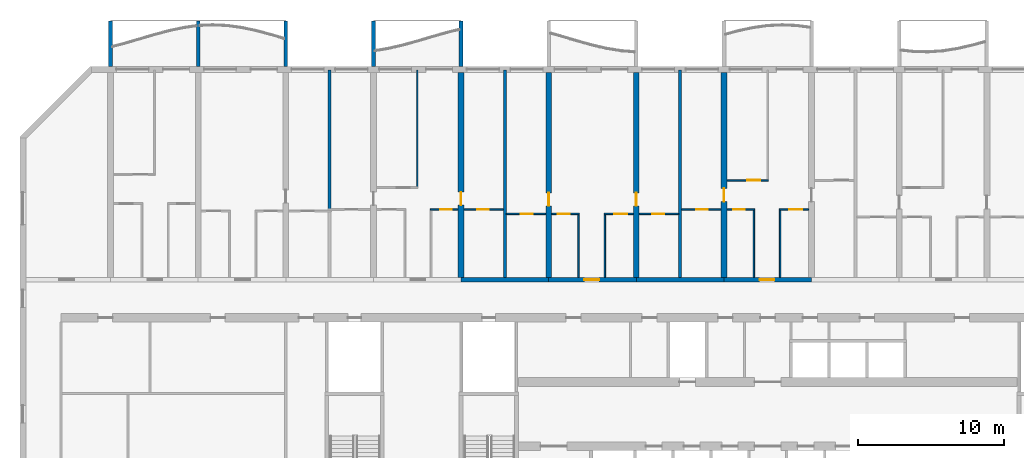
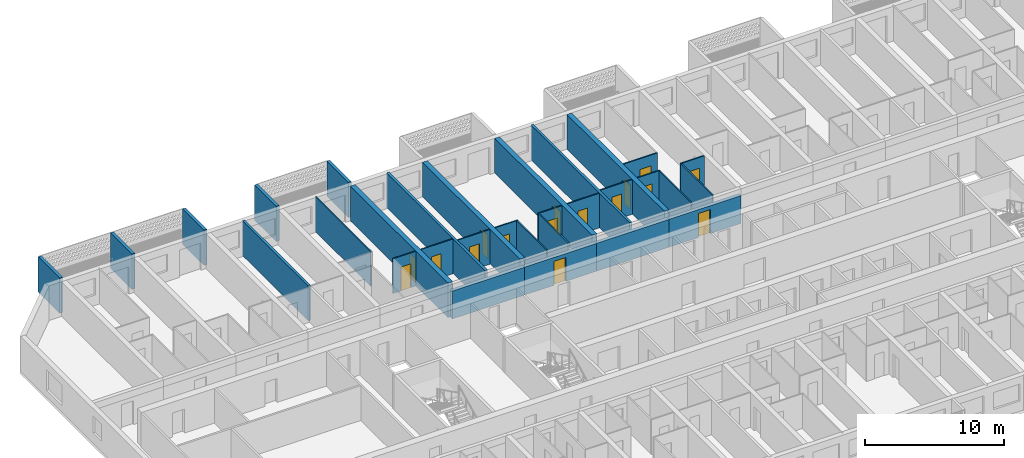
# One storey, part 11 of 40: 31 walls, 16 doors, 16 openings.
"""IFC4 building model written with IfcOpenShell, lengths in metres."""

from ifc_helpers import new_model, si_unit, direction, frame, frame_2d, origin, place, context, subcontext, project, spatial, polyline, rectangle, outline, extrude, source, transform, mapped, material, layer, layer_set, type_object, element, fill, save


model = new_model("IFC4")

# Units and contexts
model_context = context("Model", 3, precision=1e-05, world=origin(), true_north=direction((0.0, 1.0)))
body_context = subcontext(model_context, "Body", "Model", "MODEL_VIEW")
ifc_project = project(units=[si_unit("LENGTHUNIT", "METRE"), si_unit("AREAUNIT", "SQUARE_METRE"), si_unit("VOLUMEUNIT", "CUBIC_METRE"), si_unit("PLANEANGLEUNIT", "RADIAN"), si_unit("MASSUNIT", "GRAM", prefix="KILO")], contexts=[model_context])

# Site, building, storey
site_placement = place(None, origin())
site = spatial("IfcSite", under=ifc_project, at=site_placement, CompositionType="ELEMENT")
building_placement = place(site_placement, origin())
building = spatial("IfcBuilding", under=site, at=building_placement, Name="Poui Terraces", CompositionType="ELEMENT")
storey_placement = place(building_placement, frame((0.0, 0.0, 33.300048828125)))
storey = spatial("IfcBuildingStorey", under=building, at=storey_placement, Name="L08", CompositionType="ELEMENT", Elevation=33.300048828125)

# Wall
ifc_material_1 = material(Name="Concrete 80 MPa", Category="concrete")
ifc_layer_1 = layer(ifc_material_1, 0.300048828125)
ifc_layer_set_1 = layer_set([ifc_layer_1], Name="Concrete 80 MPa")
wall_type_1 = type_object("IfcWallType", Name="CORRIDOR WALL 300 80MPa", PredefinedType="SHEAR", material=ifc_layer_set_1)
wall_1_placement = place(storey_placement, frame((30.0, 30.39990234375, 0.0), z_axis=(0.0, 0.0, 1.0), x_axis=(1.0, 0.0, 0.0)))
element("IfcWall", 1, at=wall_1_placement, inside=storey, type_object=wall_type_1, Name="CORRIDOR WALL LINE E BAY 6", PredefinedType="SHEAR", context=body_context, shape_type="SweptSolid", body=[
    extrude(rectangle(XDim=6.0, YDim=0.300048828125, at=frame_2d((3.0, 0.0))), origin(), (0.0, 0.0, 1.0), 2.449951171875),
])

# Wall, opening, door
wall_2_placement = place(storey_placement, frame((36.0, 30.39990234375, 0.0), z_axis=(0.0, 0.0, 1.0), x_axis=(1.0, 0.0, 0.0)))
wall_2 = element("IfcWall", 2, at=wall_2_placement, inside=storey, type_object=wall_type_1, Name="CORRIDOR WALL LINE E BAY 7", PredefinedType="SHEAR", context=body_context, shape_type="SweptSolid", body=[
    extrude(rectangle(XDim=6.0, YDim=0.300048828125, at=frame_2d((3.0, 0.0))), origin(), (0.0, 0.0, 1.0), 2.449951171875),
])
opening_1_placement = place(wall_2_placement, frame((2.449951171875, 0.0, 0.0)))
opening_1 = element("IfcOpeningElement", 3, at=opening_1_placement, cuts=wall_2, Name="Opening FD30S", PredefinedType="OPENING", context=body_context, shape_type="SweptSolid", body=[
    extrude(rectangle(XDim=1.0, YDim=2.10009765625, at=frame_2d((0.5, 1.050048828125))), frame((0.0, 0.16015625, 0.0), z_axis=(0.0, -1.0, 0.0), x_axis=(1.0, 0.0, 0.0)), (0.0, 0.0, 1.0), 0.320068359375),
])
ifc_material_2 = material(Name="Steel fire door", Category="steel")
door_type_1 = type_object("IfcDoorType", Name="FLAT ENTRANCE DOOR 1000 X 2100", OperationType="NOTDEFINED", PredefinedType="DOOR", material=ifc_material_2)
door_1_placement = place(opening_1_placement, origin())
door_1 = element("IfcDoor", 4, at=door_1_placement, inside=storey, type_object=door_type_1, Name="FLAT ENTRANCE DOOR 052", OperationType="SINGLE_SWING_LEFT", OverallHeight=2.10009765625, OverallWidth=1.0, PredefinedType="DOOR", context=body_context, shape_type="SweptSolid", body=[
    extrude(rectangle(XDim=1.0, YDim=2.10009765625, at=frame_2d((0.5, 1.050048828125))), frame((0.0, 0.02490234375, 0.0), z_axis=(0.0, -1.0, 0.0), x_axis=(1.0, 0.0, 0.0)), (0.0, 0.0, 1.0), 0.050048828125),
])
fill(opening_1, door_1)

# Wall
wall_3_placement = place(storey_placement, frame((42.0, 30.39990234375, 0.0), z_axis=(0.0, 0.0, 1.0), x_axis=(1.0, 0.0, 0.0)))
element("IfcWall", 5, at=wall_3_placement, inside=storey, type_object=wall_type_1, Name="CORRIDOR WALL LINE E BAY 8", PredefinedType="SHEAR", context=body_context, shape_type="SweptSolid", body=[
    extrude(rectangle(XDim=6.0, YDim=0.300048828125, at=frame_2d((3.0, 0.0))), origin(), (0.0, 0.0, 1.0), 2.449951171875),
])

# Wall, opening, door
wall_4_placement = place(storey_placement, frame((48.0, 30.39990234375, 0.0), z_axis=(0.0, 0.0, 1.0), x_axis=(1.0, 0.0, 0.0)))
wall_4 = element("IfcWall", 6, at=wall_4_placement, inside=storey, type_object=wall_type_1, Name="CORRIDOR WALL LINE E BAY 9", PredefinedType="SHEAR", context=body_context, shape_type="SweptSolid", body=[
    extrude(rectangle(XDim=6.0, YDim=0.300048828125, at=frame_2d((3.0, 0.0))), origin(), (0.0, 0.0, 1.0), 2.449951171875),
])
opening_2_placement = place(wall_4_placement, frame((2.449951171875, 0.0, 0.0)))
opening_2 = element("IfcOpeningElement", 7, at=opening_2_placement, cuts=wall_4, Name="Opening FD30S", PredefinedType="OPENING", context=body_context, shape_type="SweptSolid", body=[
    extrude(rectangle(XDim=1.0, YDim=2.10009765625, at=frame_2d((0.5, 1.050048828125))), frame((0.0, 0.16015625, 0.0), z_axis=(0.0, -1.0, 0.0), x_axis=(1.0, 0.0, 0.0)), (0.0, 0.0, 1.0), 0.320068359375),
])
door_2_placement = place(opening_2_placement, origin())
door_2 = element("IfcDoor", 8, at=door_2_placement, inside=storey, type_object=door_type_1, Name="FLAT ENTRANCE DOOR 060", OperationType="SINGLE_SWING_LEFT", OverallHeight=2.10009765625, OverallWidth=1.0, PredefinedType="DOOR", context=body_context, shape_type="SweptSolid", body=[
    extrude(rectangle(XDim=1.0, YDim=2.10009765625, at=frame_2d((0.5, 1.050048828125))), frame((0.0, 0.02490234375, 0.0), z_axis=(0.0, -1.0, 0.0), x_axis=(1.0, 0.0, 0.0)), (0.0, 0.0, 1.0), 0.050048828125),
])
fill(opening_2, door_2)

ifc_layer_2 = layer(ifc_material_1, 0.39990234375)
ifc_layer_set_2 = layer_set([ifc_layer_2], Name="Concrete 80 MPa")
wall_type_2 = type_object("IfcWallType", Name="CROSS WALL 400 80MPa", PredefinedType="SHEAR", material=ifc_layer_set_2)
wall_5_placement = place(storey_placement, frame((30.0, 30.550048828125, 0.0), z_axis=(0.0, 0.0, 1.0), x_axis=(0.0, 1.0, 0.0)))
wall_5 = element("IfcWall", 9, at=wall_5_placement, inside=storey, type_object=wall_type_2, Name="CROSS WALL LINE 6 NORTH", PredefinedType="SHEAR", context=body_context, shape_type="SweptSolid", body=[
    extrude(rectangle(XDim=14.050048828125, YDim=0.39990234375, at=frame_2d((7.02490234375, 0.0))), origin(), (0.0, 0.0, 1.0), 3.050048828125),
])
opening_3_placement = place(wall_5_placement, frame((4.949951171875, 0.0, 0.0)))
opening_3 = element("IfcOpeningElement", 10, at=opening_3_placement, cuts=wall_5, Name="Opening D90", PredefinedType="OPENING", context=body_context, shape_type="SweptSolid", body=[
    extrude(rectangle(XDim=0.89990234375, YDim=2.10009765625, at=frame_2d((0.449951171875, 1.050048828125))), frame((0.0, 0.2099609375, 0.0), z_axis=(0.0, -1.0, 0.0), x_axis=(1.0, 0.0, 0.0)), (0.0, 0.0, 1.0), 0.419921875),
])
ifc_material_3 = material(Name="Solid core timber door", Category="wood")
door_type_2 = type_object("IfcDoorType", Name="INTERNAL DOOR 900 X 2100", OperationType="NOTDEFINED", PredefinedType="DOOR", material=ifc_material_3)
door_3_placement = place(opening_3_placement, frame((0.89990234375, 0.0, 0.0), z_axis=(0.0, 0.0, 1.0), x_axis=(-1.0, 0.0, 0.0)))
door_3 = element("IfcDoor", 11, at=door_3_placement, inside=storey, type_object=door_type_2, Name="INTERNAL DOOR 047", OperationType="SINGLE_SWING_RIGHT", OverallHeight=2.10009765625, OverallWidth=0.89990234375, PredefinedType="DOOR", context=body_context, shape_type="SweptSolid", body=[
    extrude(rectangle(XDim=0.89990234375, YDim=2.10009765625, at=frame_2d((0.449951171875, 1.050048828125))), frame((0.0, 0.02490234375, 0.0), z_axis=(0.0, -1.0, 0.0), x_axis=(1.0, 0.0, 0.0)), (0.0, 0.0, 1.0), 0.050048828125),
])
fill(opening_3, door_3)

wall_6_placement = place(storey_placement, frame((36.0, 30.550048828125, 0.0), z_axis=(0.0, 0.0, 1.0), x_axis=(0.0, 1.0, 0.0)))
wall_6 = element("IfcWall", 12, at=wall_6_placement, inside=storey, type_object=wall_type_2, Name="CROSS WALL LINE 7 NORTH", PredefinedType="SHEAR", context=body_context, shape_type="SweptSolid", body=[
    extrude(rectangle(XDim=14.050048828125, YDim=0.39990234375, at=frame_2d((7.02490234375, 0.0))), origin(), (0.0, 0.0, 1.0), 3.050048828125),
])
opening_4_placement = place(wall_6_placement, frame((4.89990234375, 0.0, 0.0)))
opening_4 = element("IfcOpeningElement", 13, at=opening_4_placement, cuts=wall_6, Name="Opening D90", PredefinedType="OPENING", context=body_context, shape_type="SweptSolid", body=[
    extrude(rectangle(XDim=0.89990234375, YDim=2.10009765625, at=frame_2d((0.449951171875, 1.050048828125))), frame((0.0, 0.2099609375, 0.0), z_axis=(0.0, -1.0, 0.0), x_axis=(1.0, 0.0, 0.0)), (0.0, 0.0, 1.0), 0.419921875),
])
door_4_placement = place(opening_4_placement, origin())
door_4 = element("IfcDoor", 14, at=door_4_placement, inside=storey, type_object=door_type_2, Name="INTERNAL DOOR 050", OperationType="SINGLE_SWING_LEFT", OverallHeight=2.10009765625, OverallWidth=0.89990234375, PredefinedType="DOOR", context=body_context, shape_type="SweptSolid", body=[
    extrude(rectangle(XDim=0.89990234375, YDim=2.10009765625, at=frame_2d((0.449951171875, 1.050048828125))), frame((0.0, 0.02490234375, 0.0), z_axis=(0.0, -1.0, 0.0), x_axis=(1.0, 0.0, 0.0)), (0.0, 0.0, 1.0), 0.050048828125),
])
fill(opening_4, door_4)

wall_7_placement = place(storey_placement, frame((42.0, 30.550048828125, 0.0), z_axis=(0.0, 0.0, 1.0), x_axis=(0.0, 1.0, 0.0)))
wall_7 = element("IfcWall", 15, at=wall_7_placement, inside=storey, type_object=wall_type_2, Name="CROSS WALL LINE 8 NORTH", PredefinedType="SHEAR", context=body_context, shape_type="SweptSolid", body=[
    extrude(rectangle(XDim=14.050048828125, YDim=0.39990234375, at=frame_2d((7.02490234375, 0.0))), origin(), (0.0, 0.0, 1.0), 3.050048828125),
])
opening_5_placement = place(wall_7_placement, frame((4.89990234375, 0.0, 0.0)))
opening_5 = element("IfcOpeningElement", 16, at=opening_5_placement, cuts=wall_7, Name="Opening D90", PredefinedType="OPENING", context=body_context, shape_type="SweptSolid", body=[
    extrude(rectangle(XDim=0.89990234375, YDim=2.10009765625, at=frame_2d((0.449951171875, 1.050048828125))), frame((0.0, 0.2099609375, 0.0), z_axis=(0.0, -1.0, 0.0), x_axis=(1.0, 0.0, 0.0)), (0.0, 0.0, 1.0), 0.419921875),
])
door_5_placement = place(opening_5_placement, frame((0.89990234375, 0.0, 0.0), z_axis=(0.0, 0.0, 1.0), x_axis=(-1.0, 0.0, 0.0)))
door_5 = element("IfcDoor", 17, at=door_5_placement, inside=storey, type_object=door_type_2, Name="INTERNAL DOOR 054", OperationType="SINGLE_SWING_RIGHT", OverallHeight=2.10009765625, OverallWidth=0.89990234375, PredefinedType="DOOR", context=body_context, shape_type="SweptSolid", body=[
    extrude(rectangle(XDim=0.89990234375, YDim=2.10009765625, at=frame_2d((0.449951171875, 1.050048828125))), frame((0.0, 0.02490234375, 0.0), z_axis=(0.0, -1.0, 0.0), x_axis=(1.0, 0.0, 0.0)), (0.0, 0.0, 1.0), 0.050048828125),
])
fill(opening_5, door_5)

wall_8_placement = place(storey_placement, frame((48.0, 30.550048828125, 0.0), z_axis=(0.0, 0.0, 1.0), x_axis=(0.0, 1.0, 0.0)))
wall_8 = element("IfcWall", 18, at=wall_8_placement, inside=storey, type_object=wall_type_2, Name="CROSS WALL LINE 9 NORTH", PredefinedType="SHEAR", context=body_context, shape_type="SweptSolid", body=[
    extrude(rectangle(XDim=14.050048828125, YDim=0.39990234375, at=frame_2d((7.02490234375, 0.0))), origin(), (0.0, 0.0, 1.0), 3.050048828125),
])
opening_6_placement = place(wall_8_placement, frame((5.199951171875, 0.0, 0.0)))
opening_6 = element("IfcOpeningElement", 19, at=opening_6_placement, cuts=wall_8, Name="Opening D90", PredefinedType="OPENING", context=body_context, shape_type="SweptSolid", body=[
    extrude(rectangle(XDim=0.89990234375, YDim=2.10009765625, at=frame_2d((0.449951171875, 1.050048828125))), frame((0.0, 0.2099609375, 0.0), z_axis=(0.0, -1.0, 0.0), x_axis=(1.0, 0.0, 0.0)), (0.0, 0.0, 1.0), 0.419921875),
])
door_6_placement = place(opening_6_placement, origin())
door_6 = element("IfcDoor", 20, at=door_6_placement, inside=storey, type_object=door_type_2, Name="INTERNAL DOOR 057", OperationType="SINGLE_SWING_LEFT", OverallHeight=2.10009765625, OverallWidth=0.89990234375, PredefinedType="DOOR", context=body_context, shape_type="SweptSolid", body=[
    extrude(rectangle(XDim=0.89990234375, YDim=2.10009765625, at=frame_2d((0.449951171875, 1.050048828125))), frame((0.0, 0.02490234375, 0.0), z_axis=(0.0, -1.0, 0.0), x_axis=(1.0, 0.0, 0.0)), (0.0, 0.0, 1.0), 0.050048828125),
])
fill(opening_6, door_6)

ifc_material_4 = material(Name="Plasterboard partition")
ifc_layer_3 = layer(ifc_material_4, 0.10009765625)
ifc_layer_set_3 = layer_set([ifc_layer_3], Name="Plasterboard partition")
wall_type_3 = type_object("IfcWallType", Name="FLAT PARTITION 100", PredefinedType="PARTITIONING", material=ifc_layer_set_3)
wall_9_placement = place(storey_placement, frame((33.10009765625, 34.89990234375, 0.0), z_axis=(0.0, 0.0, 1.0), x_axis=(1.0, 0.0, 0.0)))
wall_9 = element("IfcWall", 21, at=wall_9_placement, inside=storey, type_object=wall_type_3, Name="FLAT PARTITION 100", PredefinedType="PARTITIONING", context=body_context, shape_type="SweptSolid", body=[
    extrude(rectangle(XDim=2.68994140625, YDim=0.10009765625, at=frame_2d((1.344970703125, 0.0))), origin(), (0.0, 0.0, 1.0), 3.050048828125),
])
opening_7_placement = place(wall_9_placement, frame((1.0, 0.0, 0.0)))
opening_7 = element("IfcOpeningElement", 22, at=opening_7_placement, cuts=wall_9, Name="Opening D80", PredefinedType="OPENING", context=body_context, shape_type="SweptSolid", body=[
    extrude(rectangle(XDim=0.800048828125, YDim=2.10009765625, at=frame_2d((0.39990234375, 1.050048828125))), frame((0.0, 0.06005859375, 0.0), z_axis=(0.0, -1.0, 0.0), x_axis=(1.0, 0.0, 0.0)), (0.0, 0.0, 1.0), 0.1201171875),
])
door_type_3 = type_object("IfcDoorType", Name="BATHROOM, LAUNDRY AND STORE DOOR 800 X 2100", OperationType="NOTDEFINED", PredefinedType="DOOR", material=ifc_material_3)
door_7_placement = place(opening_7_placement, frame((0.800048828125, 0.0, 0.0), z_axis=(0.0, 0.0, 1.0), x_axis=(-1.0, 0.0, 0.0)))
door_7 = element("IfcDoor", 23, at=door_7_placement, inside=storey, type_object=door_type_3, Name="BATHROOM, LAUNDRY AND STORE DOOR 048", OperationType="SINGLE_SWING_RIGHT", OverallHeight=2.10009765625, OverallWidth=0.800048828125, PredefinedType="DOOR", context=body_context, shape_type="SweptSolid", body=[
    extrude(rectangle(XDim=0.800048828125, YDim=2.10009765625, at=frame_2d((0.39990234375, 1.050048828125))), frame((0.0, 0.02490234375, 0.0), z_axis=(0.0, -1.0, 0.0), x_axis=(1.0, 0.0, 0.0)), (0.0, 0.0, 1.0), 0.050048828125),
])
fill(opening_7, door_7)

wall_10_placement = place(storey_placement, frame((36.2099609375, 34.89990234375, 0.0), z_axis=(0.0, 0.0, 1.0), x_axis=(1.0, 0.0, 0.0)))
wall_10 = element("IfcWall", 24, at=wall_10_placement, inside=storey, type_object=wall_type_3, Name="FLAT PARTITION 100", PredefinedType="PARTITIONING", context=body_context, shape_type="SweptSolid", body=[
    extrude(rectangle(XDim=1.89013671875, YDim=0.10009765625, at=frame_2d((0.945068359375, 0.0))), origin(), (0.0, 0.0, 1.0), 3.050048828125),
])
opening_8_placement = place(wall_10_placement, frame((0.4150390625, 0.0, 0.0)))
opening_8 = element("IfcOpeningElement", 25, at=opening_8_placement, cuts=wall_10, Name="Opening D80", PredefinedType="OPENING", context=body_context, shape_type="SweptSolid", body=[
    extrude(rectangle(XDim=0.800048828125, YDim=2.10009765625, at=frame_2d((0.39990234375, 1.050048828125))), frame((0.0, 0.06005859375, 0.0), z_axis=(0.0, -1.0, 0.0), x_axis=(1.0, 0.0, 0.0)), (0.0, 0.0, 1.0), 0.1201171875),
])
door_8_placement = place(opening_8_placement, frame((0.800048828125, 0.0, 0.0), z_axis=(0.0, 0.0, 1.0), x_axis=(-1.0, 0.0, 0.0)))
door_8 = element("IfcDoor", 26, at=door_8_placement, inside=storey, type_object=door_type_3, Name="BATHROOM, LAUNDRY AND STORE DOOR 051", OperationType="SINGLE_SWING_LEFT", OverallHeight=2.10009765625, OverallWidth=0.800048828125, PredefinedType="DOOR", context=body_context, shape_type="SweptSolid", body=[
    extrude(rectangle(XDim=0.800048828125, YDim=2.10009765625, at=frame_2d((0.39990234375, 1.050048828125))), frame((0.0, 0.02490234375, 0.0), z_axis=(0.0, -1.0, 0.0), x_axis=(1.0, 0.0, 0.0)), (0.0, 0.0, 1.0), 0.050048828125),
])
fill(opening_8, door_8)

wall_11_placement = place(storey_placement, frame((39.800048828125, 34.89990234375, 0.0), z_axis=(0.0, 0.0, 1.0), x_axis=(1.0, 0.0, 0.0)))
wall_11 = element("IfcWall", 27, at=wall_11_placement, inside=storey, type_object=wall_type_3, Name="FLAT PARTITION 100", PredefinedType="PARTITIONING", context=body_context, shape_type="SweptSolid", body=[
    extrude(rectangle(XDim=1.989990234375, YDim=0.10009765625, at=frame_2d((0.9951171875, 0.0))), origin(), (0.0, 0.0, 1.0), 3.050048828125),
])
opening_9_placement = place(wall_11_placement, frame((0.675048828125, 0.0, 0.0)))
opening_9 = element("IfcOpeningElement", 28, at=opening_9_placement, cuts=wall_11, Name="Opening D90", PredefinedType="OPENING", context=body_context, shape_type="SweptSolid", body=[
    extrude(rectangle(XDim=0.89990234375, YDim=2.10009765625, at=frame_2d((0.449951171875, 1.050048828125))), frame((0.0, 0.06005859375, 0.0), z_axis=(0.0, -1.0, 0.0), x_axis=(1.0, 0.0, 0.0)), (0.0, 0.0, 1.0), 0.1201171875),
])
door_9_placement = place(opening_9_placement, frame((0.89990234375, 0.0, 0.0), z_axis=(0.0, 0.0, 1.0), x_axis=(-1.0, 0.0, 0.0)))
door_9 = element("IfcDoor", 29, at=door_9_placement, inside=storey, type_object=door_type_2, Name="INTERNAL DOOR 053", OperationType="SINGLE_SWING_RIGHT", OverallHeight=2.10009765625, OverallWidth=0.89990234375, PredefinedType="DOOR", context=body_context, shape_type="SweptSolid", body=[
    extrude(rectangle(XDim=0.89990234375, YDim=2.10009765625, at=frame_2d((0.449951171875, 1.050048828125))), frame((0.0, 0.02490234375, 0.0), z_axis=(0.0, -1.0, 0.0), x_axis=(1.0, 0.0, 0.0)), (0.0, 0.0, 1.0), 0.050048828125),
])
fill(opening_9, door_9)

wall_12_placement = place(storey_placement, frame((42.2099609375, 34.89990234375, 0.0), z_axis=(0.0, 0.0, 1.0), x_axis=(1.0, 0.0, 0.0)))
wall_12 = element("IfcWall", 30, at=wall_12_placement, inside=storey, type_object=wall_type_3, Name="FLAT PARTITION 100", PredefinedType="PARTITIONING", context=body_context, shape_type="SweptSolid", body=[
    extrude(rectangle(XDim=2.68994140625, YDim=0.10009765625, at=frame_2d((1.344970703125, 0.0))), origin(), (0.0, 0.0, 1.0), 3.050048828125),
])
opening_10_placement = place(wall_12_placement, frame((0.889892578125, 0.0, 0.0)))
opening_10 = element("IfcOpeningElement", 31, at=opening_10_placement, cuts=wall_12, Name="Opening D80", PredefinedType="OPENING", context=body_context, shape_type="SweptSolid", body=[
    extrude(rectangle(XDim=0.800048828125, YDim=2.10009765625, at=frame_2d((0.39990234375, 1.050048828125))), frame((0.0, 0.06005859375, 0.0), z_axis=(0.0, -1.0, 0.0), x_axis=(1.0, 0.0, 0.0)), (0.0, 0.0, 1.0), 0.1201171875),
])
door_10_placement = place(opening_10_placement, frame((0.800048828125, 0.0, 0.0), z_axis=(0.0, 0.0, 1.0), x_axis=(-1.0, 0.0, 0.0)))
door_10 = element("IfcDoor", 32, at=door_10_placement, inside=storey, type_object=door_type_3, Name="BATHROOM, LAUNDRY AND STORE DOOR 049", OperationType="SINGLE_SWING_RIGHT", OverallHeight=2.10009765625, OverallWidth=0.800048828125, PredefinedType="DOOR", context=body_context, shape_type="SweptSolid", body=[
    extrude(rectangle(XDim=0.800048828125, YDim=2.10009765625, at=frame_2d((0.39990234375, 1.050048828125))), frame((0.0, 0.02490234375, 0.0), z_axis=(0.0, -1.0, 0.0), x_axis=(1.0, 0.0, 0.0)), (0.0, 0.0, 1.0), 0.050048828125),
])
fill(opening_10, door_10)

wall_13_placement = place(storey_placement, frame((27.89990234375, 35.199951171875, 0.0), z_axis=(0.0, 0.0, 1.0), x_axis=(1.0, 0.0, 0.0)))
wall_13 = element("IfcWall", 33, at=wall_13_placement, inside=storey, type_object=wall_type_3, Name="FLAT PARTITION 100", PredefinedType="PARTITIONING", context=body_context, shape_type="SweptSolid", body=[
    extrude(rectangle(XDim=1.89013671875, YDim=0.10009765625, at=frame_2d((0.945068359375, 0.0))), origin(), (0.0, 0.0, 1.0), 3.050048828125),
])
opening_11_placement = place(wall_13_placement, frame((0.675048828125, 0.0, 0.0)))
opening_11 = element("IfcOpeningElement", 34, at=opening_11_placement, cuts=wall_13, Name="Opening D80", PredefinedType="OPENING", context=body_context, shape_type="SweptSolid", body=[
    extrude(rectangle(XDim=0.800048828125, YDim=2.10009765625, at=frame_2d((0.39990234375, 1.050048828125))), frame((0.0, 0.06005859375, 0.0), z_axis=(0.0, -1.0, 0.0), x_axis=(1.0, 0.0, 0.0)), (0.0, 0.0, 1.0), 0.1201171875),
])
door_11_placement = place(opening_11_placement, frame((0.800048828125, 0.0, 0.0), z_axis=(0.0, 0.0, 1.0), x_axis=(-1.0, 0.0, 0.0)))
door_11 = element("IfcDoor", 35, at=door_11_placement, inside=storey, type_object=door_type_3, Name="BATHROOM, LAUNDRY AND STORE DOOR 046", OperationType="SINGLE_SWING_RIGHT", OverallHeight=2.10009765625, OverallWidth=0.800048828125, PredefinedType="DOOR", context=body_context, shape_type="SweptSolid", body=[
    extrude(rectangle(XDim=0.800048828125, YDim=2.10009765625, at=frame_2d((0.39990234375, 1.050048828125))), frame((0.0, 0.02490234375, 0.0), z_axis=(0.0, -1.0, 0.0), x_axis=(1.0, 0.0, 0.0)), (0.0, 0.0, 1.0), 0.050048828125),
])
fill(opening_11, door_11)

wall_14_placement = place(storey_placement, frame((30.2099609375, 35.199951171875, 0.0), z_axis=(0.0, 0.0, 1.0), x_axis=(1.0, 0.0, 0.0)))
wall_14 = element("IfcWall", 36, at=wall_14_placement, inside=storey, type_object=wall_type_3, Name="FLAT PARTITION 100", PredefinedType="PARTITIONING", context=body_context, shape_type="SweptSolid", body=[
    extrude(rectangle(XDim=2.68994140625, YDim=0.10009765625, at=frame_2d((1.344970703125, 0.0))), origin(), (0.0, 0.0, 1.0), 3.050048828125),
])
opening_12_placement = place(wall_14_placement, frame((0.889892578125, 0.0, 0.0)))
opening_12 = element("IfcOpeningElement", 37, at=opening_12_placement, cuts=wall_14, Name="Opening D80", PredefinedType="OPENING", context=body_context, shape_type="SweptSolid", body=[
    extrude(rectangle(XDim=0.800048828125, YDim=2.10009765625, at=frame_2d((0.39990234375, 1.050048828125))), frame((0.0, 0.06005859375, 0.0), z_axis=(0.0, -1.0, 0.0), x_axis=(1.0, 0.0, 0.0)), (0.0, 0.0, 1.0), 0.1201171875),
])
door_12_placement = place(opening_12_placement, frame((0.800048828125, 0.0, 0.0), z_axis=(0.0, 0.0, 1.0), x_axis=(-1.0, 0.0, 0.0)))
door_12 = element("IfcDoor", 38, at=door_12_placement, inside=storey, type_object=door_type_3, Name="BATHROOM, LAUNDRY AND STORE DOOR 041", OperationType="SINGLE_SWING_LEFT", OverallHeight=2.10009765625, OverallWidth=0.800048828125, PredefinedType="DOOR", context=body_context, shape_type="SweptSolid", body=[
    extrude(rectangle(XDim=0.800048828125, YDim=2.10009765625, at=frame_2d((0.39990234375, 1.050048828125))), frame((0.0, 0.02490234375, 0.0), z_axis=(0.0, -1.0, 0.0), x_axis=(1.0, 0.0, 0.0)), (0.0, 0.0, 1.0), 0.050048828125),
])
fill(opening_12, door_12)

wall_15_placement = place(storey_placement, frame((45.10009765625, 35.199951171875, 0.0), z_axis=(0.0, 0.0, 1.0), x_axis=(1.0, 0.0, 0.0)))
wall_15 = element("IfcWall", 39, at=wall_15_placement, inside=storey, type_object=wall_type_3, Name="FLAT PARTITION 100", PredefinedType="PARTITIONING", context=body_context, shape_type="SweptSolid", body=[
    extrude(rectangle(XDim=2.68994140625, YDim=0.10009765625, at=frame_2d((1.344970703125, 0.0))), origin(), (0.0, 0.0, 1.0), 3.050048828125),
])
opening_13_placement = place(wall_15_placement, frame((1.0, 0.0, 0.0)))
opening_13 = element("IfcOpeningElement", 40, at=opening_13_placement, cuts=wall_15, Name="Opening D80", PredefinedType="OPENING", context=body_context, shape_type="SweptSolid", body=[
    extrude(rectangle(XDim=0.800048828125, YDim=2.10009765625, at=frame_2d((0.39990234375, 1.050048828125))), frame((0.0, 0.06005859375, 0.0), z_axis=(0.0, -1.0, 0.0), x_axis=(1.0, 0.0, 0.0)), (0.0, 0.0, 1.0), 0.1201171875),
])
door_13_placement = place(opening_13_placement, frame((0.800048828125, 0.0, 0.0), z_axis=(0.0, 0.0, 1.0), x_axis=(-1.0, 0.0, 0.0)))
door_13 = element("IfcDoor", 41, at=door_13_placement, inside=storey, type_object=door_type_3, Name="BATHROOM, LAUNDRY AND STORE DOOR 055", OperationType="SINGLE_SWING_LEFT", OverallHeight=2.10009765625, OverallWidth=0.800048828125, PredefinedType="DOOR", context=body_context, shape_type="SweptSolid", body=[
    extrude(rectangle(XDim=0.800048828125, YDim=2.10009765625, at=frame_2d((0.39990234375, 1.050048828125))), frame((0.0, 0.02490234375, 0.0), z_axis=(0.0, -1.0, 0.0), x_axis=(1.0, 0.0, 0.0)), (0.0, 0.0, 1.0), 0.050048828125),
])
fill(opening_13, door_13)

wall_16_placement = place(storey_placement, frame((48.2099609375, 35.199951171875, 0.0), z_axis=(0.0, 0.0, 1.0), x_axis=(1.0, 0.0, 0.0)))
wall_16 = element("IfcWall", 42, at=wall_16_placement, inside=storey, type_object=wall_type_3, Name="FLAT PARTITION 100", PredefinedType="PARTITIONING", context=body_context, shape_type="SweptSolid", body=[
    extrude(rectangle(XDim=1.89013671875, YDim=0.10009765625, at=frame_2d((0.945068359375, 0.0))), origin(), (0.0, 0.0, 1.0), 3.050048828125),
])
opening_14_placement = place(wall_16_placement, frame((0.4150390625, 0.0, 0.0)))
opening_14 = element("IfcOpeningElement", 43, at=opening_14_placement, cuts=wall_16, Name="Opening D80", PredefinedType="OPENING", context=body_context, shape_type="SweptSolid", body=[
    extrude(rectangle(XDim=0.800048828125, YDim=2.10009765625, at=frame_2d((0.39990234375, 1.050048828125))), frame((0.0, 0.06005859375, 0.0), z_axis=(0.0, -1.0, 0.0), x_axis=(1.0, 0.0, 0.0)), (0.0, 0.0, 1.0), 0.1201171875),
])
door_14_placement = place(opening_14_placement, frame((0.800048828125, 0.0, 0.0), z_axis=(0.0, 0.0, 1.0), x_axis=(-1.0, 0.0, 0.0)))
door_14 = element("IfcDoor", 44, at=door_14_placement, inside=storey, type_object=door_type_3, Name="BATHROOM, LAUNDRY AND STORE DOOR 058", OperationType="SINGLE_SWING_LEFT", OverallHeight=2.10009765625, OverallWidth=0.800048828125, PredefinedType="DOOR", context=body_context, shape_type="SweptSolid", body=[
    extrude(rectangle(XDim=0.800048828125, YDim=2.10009765625, at=frame_2d((0.39990234375, 1.050048828125))), frame((0.0, 0.02490234375, 0.0), z_axis=(0.0, -1.0, 0.0), x_axis=(1.0, 0.0, 0.0)), (0.0, 0.0, 1.0), 0.050048828125),
])
fill(opening_14, door_14)

wall_17_placement = place(storey_placement, frame((51.800048828125, 35.199951171875, 0.0), z_axis=(0.0, 0.0, 1.0), x_axis=(1.0, 0.0, 0.0)))
wall_17 = element("IfcWall", 45, at=wall_17_placement, inside=storey, type_object=wall_type_3, Name="FLAT PARTITION 100", PredefinedType="PARTITIONING", context=body_context, shape_type="SweptSolid", body=[
    extrude(rectangle(XDim=1.989990234375, YDim=0.10009765625, at=frame_2d((0.9951171875, 0.0))), origin(), (0.0, 0.0, 1.0), 3.050048828125),
])
opening_15_placement = place(wall_17_placement, frame((0.675048828125, 0.0, 0.0)))
opening_15 = element("IfcOpeningElement", 46, at=opening_15_placement, cuts=wall_17, Name="Opening D90", PredefinedType="OPENING", context=body_context, shape_type="SweptSolid", body=[
    extrude(rectangle(XDim=0.89990234375, YDim=2.10009765625, at=frame_2d((0.449951171875, 1.050048828125))), frame((0.0, 0.06005859375, 0.0), z_axis=(0.0, -1.0, 0.0), x_axis=(1.0, 0.0, 0.0)), (0.0, 0.0, 1.0), 0.1201171875),
])
door_15_placement = place(opening_15_placement, frame((0.89990234375, 0.0, 0.0), z_axis=(0.0, 0.0, 1.0), x_axis=(-1.0, 0.0, 0.0)))
door_15 = element("IfcDoor", 47, at=door_15_placement, inside=storey, type_object=door_type_2, Name="INTERNAL DOOR 061", OperationType="SINGLE_SWING_RIGHT", OverallHeight=2.10009765625, OverallWidth=0.89990234375, PredefinedType="DOOR", context=body_context, shape_type="SweptSolid", body=[
    extrude(rectangle(XDim=0.89990234375, YDim=2.10009765625, at=frame_2d((0.449951171875, 1.050048828125))), frame((0.0, 0.02490234375, 0.0), z_axis=(0.0, -1.0, 0.0), x_axis=(1.0, 0.0, 0.0)), (0.0, 0.0, 1.0), 0.050048828125),
])
fill(opening_15, door_15)

wall_18_placement = place(storey_placement, frame((48.2099609375, 37.199951171875, 0.0), z_axis=(0.0, 0.0, 1.0), x_axis=(1.0, 0.0, 0.0)))
wall_18 = element("IfcWall", 48, at=wall_18_placement, inside=storey, type_object=wall_type_3, Name="FLAT PARTITION 100", PredefinedType="PARTITIONING", context=body_context, shape_type="SweptSolid", body=[
    extrude(rectangle(XDim=2.840087890625, YDim=0.10009765625, at=frame_2d((1.419921875, 0.0))), origin(), (0.0, 0.0, 1.0), 3.050048828125),
])
opening_16_placement = place(wall_18_placement, frame((1.389892578125, 0.0, 0.0)))
opening_16 = element("IfcOpeningElement", 49, at=opening_16_placement, cuts=wall_18, Name="Opening D90", PredefinedType="OPENING", context=body_context, shape_type="SweptSolid", body=[
    extrude(rectangle(XDim=0.89990234375, YDim=2.10009765625, at=frame_2d((0.449951171875, 1.050048828125))), frame((0.0, 0.06005859375, 0.0), z_axis=(0.0, -1.0, 0.0), x_axis=(1.0, 0.0, 0.0)), (0.0, 0.0, 1.0), 0.1201171875),
])
door_16_placement = place(opening_16_placement, frame((0.89990234375, 0.0, 0.0), z_axis=(0.0, 0.0, 1.0), x_axis=(-1.0, 0.0, 0.0)))
door_16 = element("IfcDoor", 50, at=door_16_placement, inside=storey, type_object=door_type_2, Name="INTERNAL DOOR 059", OperationType="SINGLE_SWING_RIGHT", OverallHeight=2.10009765625, OverallWidth=0.89990234375, PredefinedType="DOOR", context=body_context, shape_type="SweptSolid", body=[
    extrude(rectangle(XDim=0.89990234375, YDim=2.10009765625, at=frame_2d((0.449951171875, 1.050048828125))), frame((0.0, 0.02490234375, 0.0), z_axis=(0.0, -1.0, 0.0), x_axis=(1.0, 0.0, 0.0)), (0.0, 0.0, 1.0), 0.050048828125),
])
fill(opening_16, door_16)

# Walls
wall_19_placement = place(storey_placement, frame((27.0, 36.75, 0.0), z_axis=(0.0, 0.0, 1.0), x_axis=(0.0, 1.0, 0.0)))
element("IfcWall", 51, at=wall_19_placement, inside=storey, type_object=wall_type_3, Name="FLAT PARTITION 100", PredefinedType="PARTITIONING", context=body_context, shape_type="SweptSolid", body=[
    extrude(rectangle(XDim=7.989990234375, YDim=0.10009765625, at=frame_2d((3.9951171875, 0.0))), origin(), (0.0, 0.0, 1.0), 3.050048828125),
])
for number, where, z_axis, x_axis, name in (
    (52, (38.050048828125, 30.56005859375, 0.0), (0.0, 0.0, 1.0), (0.0, 1.0, 0.0), "FLAT PARTITION 100"),
    (53, (39.85009765625, 30.56005859375, 0.0), (0.0, 0.0, 1.0), (0.0, 1.0, 0.0), "FLAT PARTITION 100"),
):
    element("IfcWall", number, at=place(storey_placement, frame(where, z_axis=z_axis, x_axis=x_axis)), inside=storey, type_object=wall_type_3, Name=name, PredefinedType="PARTITIONING", context=body_context, shape_type="SweptSolid", body=[
        extrude(rectangle(XDim=4.2900390625, YDim=0.10009765625, at=frame_2d((2.14501953125, 0.0))), origin(), (0.0, 0.0, 1.0), 3.050048828125),
    ])
for number, where, z_axis, x_axis, name in (
    (54, (50.050048828125, 30.56005859375, 0.0), (0.0, 0.0, 1.0), (0.0, 1.0, 0.0), "FLAT PARTITION 100"),
    (55, (51.85009765625, 30.56005859375, 0.0), (0.0, 0.0, 1.0), (0.0, 1.0, 0.0), "FLAT PARTITION 100"),
):
    element("IfcWall", number, at=place(storey_placement, frame(where, z_axis=z_axis, x_axis=x_axis)), inside=storey, type_object=wall_type_3, Name=name, PredefinedType="PARTITIONING", context=body_context, shape_type="SweptSolid", body=[
        extrude(rectangle(XDim=4.58984375, YDim=0.10009765625, at=frame_2d((2.294921875, 0.0))), origin(), (0.0, 0.0, 1.0), 3.050048828125),
    ])
ifc_material_5 = material(Name="Fire-rated masonry wall", Category="masonry")
ifc_layer_4 = layer(ifc_material_5, 0.199951171875)
ifc_layer_set_4 = layer_set([ifc_layer_4], Name="Fire-rated masonry wall")
wall_type_4 = type_object("IfcWallType", Name="FLAT PARTY WALL 200", PredefinedType="PARTITIONING", material=ifc_layer_set_4)
wall_20_placement = place(storey_placement, frame((21.0, 35.25, 0.0), z_axis=(0.0, 0.0, 1.0), x_axis=(0.0, 1.0, 0.0)))
element("IfcWall", 56, at=wall_20_placement, inside=storey, type_object=wall_type_4, Name="FLAT PARTY WALL 200", PredefinedType="PARTITIONING", context=body_context, shape_type="SweptSolid", body=[
    extrude(rectangle(XDim=9.489990234375, YDim=0.199951171875, at=frame_2d((4.7451171875, 0.0))), origin(), (0.0, 0.0, 1.0), 3.050048828125),
])
for number, where, z_axis, x_axis, name in (
    (57, (33.0, 30.56005859375, 0.0), (0.0, 0.0, 1.0), (0.0, 1.0, 0.0), "FLAT PARTY WALL 200"),
    (58, (45.0, 30.56005859375, 0.0), (0.0, 0.0, 1.0), (0.0, 1.0, 0.0), "FLAT PARTY WALL 200"),
):
    element("IfcWall", number, at=place(storey_placement, frame(where, z_axis=z_axis, x_axis=x_axis)), inside=storey, type_object=wall_type_4, Name=name, PredefinedType="PARTITIONING", context=body_context, shape_type="SweptSolid", body=[
        extrude(rectangle(XDim=14.179931640625, YDim=0.199951171875, at=frame_2d((7.08984375, 0.0))), origin(), (0.0, 0.0, 1.0), 3.050048828125),
    ])
ifc_material_6 = material(Name="Precast concrete 40 MPa", Category="concrete")
ifc_layer_5 = layer(ifc_material_6, 0.25)
ifc_layer_set_5 = layer_set([ifc_layer_5], Name="Precast concrete 40 MPa")
wall_type_5 = type_object("IfcWallType", Name="BALCONY FIN 250", PredefinedType="STANDARD", material=ifc_layer_set_5)
shared_shape = source(origin(), body_context, "Body", "SweptSolid", [
    extrude(outline(polyline([(0.0, 0.0), (0.25, 0.0), (0.25, 3.10009765625), (0.0, 3.10009765625), (0.0, 0.0)])), origin(), (0.0, 0.0, 1.0), 3.099853515625),
])
for number, where, name in (
    (59, (5.875, 45.0, 0.0), "BALCONY FIN"),
    (60, (11.875, 45.0, 0.0), "BALCONY FIN"),
    (61, (17.875, 45.0, 0.0), "BALCONY FIN"),
    (62, (23.875, 45.0, 0.0), "BALCONY FIN"),
    (63, (29.875, 45.0, 0.0), "BALCONY FIN"),
):
    element("IfcWall", number, at=place(storey_placement, frame(where)), inside=storey, type_object=wall_type_5, Name=name, PredefinedType="STANDARD", context=body_context, shape_type="MappedRepresentation", body=[
        mapped(shared_shape, transform((0.0, 0.0, 0.0))),
    ])

save(model, "model.ifc")
